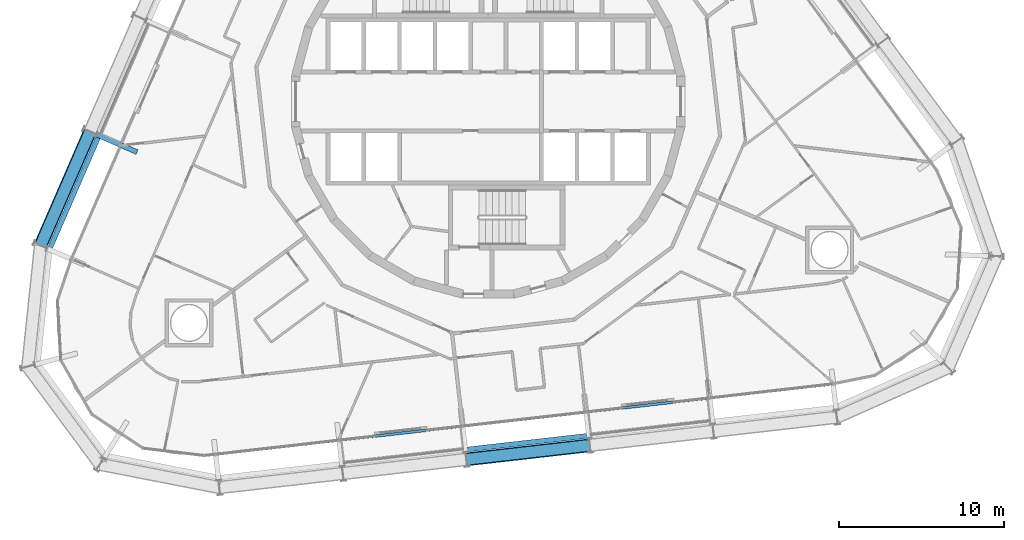
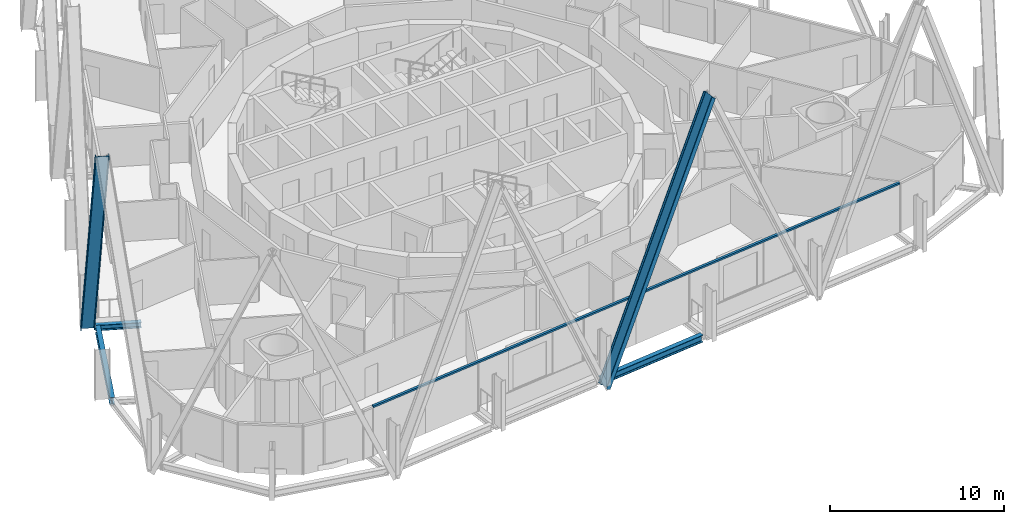
# One storey, part 4 of 23: 3 beams, 3 members, 1 element without a shape of its own.
"""IFC4 building model written with IfcOpenShell, lengths in metres."""

from ifc_helpers import new_model, si_unit, direction, frame, origin, origin_2d, place, context, subcontext, project, spatial, rectangle, i_section, extrude, material, layer, layer_set, material_profile, profile_set, type_object, element, aggregate, save


model = new_model("IFC4")

# Units and contexts
model_context = context("Model", 3, precision=1e-05, world=origin(), true_north=direction((0.0, 1.0)))
body_context = subcontext(model_context, "Body", "Model", "MODEL_VIEW")
ifc_project = project(units=[si_unit("LENGTHUNIT", "METRE"), si_unit("AREAUNIT", "SQUARE_METRE"), si_unit("VOLUMEUNIT", "CUBIC_METRE"), si_unit("PLANEANGLEUNIT", "RADIAN"), si_unit("MASSUNIT", "GRAM", prefix="KILO")], contexts=[model_context])

# Site, building, storey
site_placement = place(None, origin())
site = spatial("IfcSite", under=ifc_project, at=site_placement, CompositionType="ELEMENT")
building_placement = place(site_placement, origin())
building = spatial("IfcBuilding", under=site, at=building_placement, Name="Spindle Arch Residences", CompositionType="ELEMENT")
storey_placement = place(building_placement, frame((0.0, 0.0, 90.699951171875)))
storey = spatial("IfcBuildingStorey", under=building, at=storey_placement, Name="L21", CompositionType="ELEMENT", Elevation=90.699951171875)

# Curtain wall, member
ifc_material_1 = material(Name="Aluminium bronze unitised frame with tinted glass", Category="aluminium")
ifc_layer = layer(ifc_material_1, 0.159912109375)
ifc_layer_set = layer_set([ifc_layer], Name="CW-C typical residential unitised wall")
curtain_wall_type = type_object("IfcCurtainWallType", Name="CW-C typical residential unitised wall", PredefinedType="NOTDEFINED", material=ifc_layer_set)
curtain_wall_placement = place(storey_placement, origin())
curtain_wall = element("IfcCurtainWall", 1, at=curtain_wall_placement, inside=storey, type_object=curtain_wall_type, Name="CW-C L21 run 6", PredefinedType="NOTDEFINED")
ifc_material_2 = material(Name="Aluminium bronze anodised transom", Category="aluminium")
ifc_material_profile_1 = material_profile(ifc_material_2, rectangle(XDim=0.159912109375, YDim=0.1201171875, at=origin_2d()), Name="TR 120x160")
ifc_profile_set_1 = profile_set([ifc_material_profile_1], Name="Aluminium bronze anodised transom")
member_type_1 = type_object("IfcMemberType", Name="Bronze transom 120x160", PredefinedType="USERDEFINED", material=ifc_profile_set_1)
member_placement = place(storey_placement, frame((-16.457275390625, -21.337646484375, 3.06005859375), z_axis=(0.993571693336, 0.1132046386, 0.0), x_axis=(-0.1132046386, 0.993571693336, 0.0)))
member = element("IfcMember", 2, at=member_placement, type_object=member_type_1, Name="CW-C transom 00", ObjectType="TRANSOM", PredefinedType="USERDEFINED", context=body_context, shape_type="SweptSolid", body=[
    extrude(rectangle(XDim=0.159912109375, YDim=0.1201171875, at=origin_2d()), origin(), (0.0, 0.0, 1.0), 37.533935546875),
])
aggregate(curtain_wall, [member])

# Members
ifc_material_3 = material(Name="Steel S460ML, intumescent coating R 240", Category="steel")
ifc_material_profile_2 = material_profile(ifc_material_3, i_section(OverallWidth=0.302978515625, OverallDepth=0.81396484375, WebThickness=0.02099609375, FlangeThickness=0.0400390625, FilletRadius=0.030029296875, at=origin_2d()), Name="HEM 800")
ifc_profile_set_2 = profile_set([ifc_material_profile_2], Name="Steel S460ML, intumescent coating R 240")
member_type_2 = type_object("IfcMemberType", Name="Diagrid diagonal HEM 800", PredefinedType="BRACE", material=ifc_profile_set_2)
for number, where, z_axis, x_axis, name in (
    (3, (-24.083251953125, -1.826416015625, -0.6298828125), (-0.159144975732, -0.366020484495, 0.916897966859), (0.365602047338, 0.840854936723, 0.399121683663), "Diagrid diagonal 2.2.18"),
    (4, (-1.3173828125, -21.645751953125, -0.6298828125), (0.396553992054, 0.04517752921, 0.916899079638), (-0.911006177079, -0.103786644443, 0.399119127279), "Diagrid diagonal 2.2.24"),
):
    element("IfcMember", number, at=place(storey_placement, frame(where, z_axis=z_axis, x_axis=x_axis)), inside=storey, type_object=member_type_2, Name=name, PredefinedType="BRACE", context=body_context, shape_type="SweptSolid", body=[
        extrude(i_section(OverallWidth=0.302978515625, OverallDepth=0.81396484375, WebThickness=0.02099609375, FlangeThickness=0.0400390625, FilletRadius=0.030029296875, at=origin_2d()), origin(), (0.0, 0.0, 1.0), 18.83837890625),
    ])

# Beams
ifc_material_4 = material(Name="Steel S460ML, intumescent coating R 120", Category="steel")
ifc_material_profile_3 = material_profile(ifc_material_4, i_section(OverallWidth=0.300048828125, OverallDepth=0.5, WebThickness=0.014404296875, FlangeThickness=0.028076171875, FilletRadius=0.027099609375, at=origin_2d()), Name="HEB 500")
ifc_profile_set_3 = profile_set([ifc_material_profile_3], Name="Steel S460ML, intumescent coating R 120")
beam_type_1 = type_object("IfcBeamType", Name="Exoskeleton edge beam HEB 500", PredefinedType="BEAM", material=ifc_profile_set_3)
beam_1_placement = place(storey_placement, frame((-23.5966796875, -2.1796875, -0.6298828125), z_axis=(-0.398760546857, -0.917055083553, 0.0), x_axis=(0.917055083553, -0.398760546857, 0.0)))
element("IfcBeam", 5, at=beam_1_placement, inside=storey, type_object=beam_type_1, Name="Exoskeleton edge beam 18", PredefinedType="BEAM", context=body_context, shape_type="SweptSolid", body=[
    extrude(i_section(OverallWidth=0.300048828125, OverallDepth=0.5, WebThickness=0.014404296875, FlangeThickness=0.028076171875, FilletRadius=0.027099609375, at=origin_2d()), origin(), (0.0, 0.0, 1.0), 7.2587890625),
])
beam_2_placement = place(storey_placement, frame((-1.2548828125, -21.0478515625, -0.6298828125), z_axis=(0.993575205863, 0.113173805691, 0.0), x_axis=(-0.113173805691, 0.993575205863, 0.0)))
element("IfcBeam", 6, at=beam_2_placement, inside=storey, type_object=beam_type_1, Name="Exoskeleton edge beam 24", PredefinedType="BEAM", context=body_context, shape_type="SweptSolid", body=[
    extrude(i_section(OverallWidth=0.300048828125, OverallDepth=0.5, WebThickness=0.014404296875, FlangeThickness=0.028076171875, FilletRadius=0.027099609375, at=origin_2d()), origin(), (0.0, 0.0, 1.0), 7.259033203125),
])
ifc_material_5 = material(Name="Steel S460ML, intumescent coating R 120", Category="steel")
ifc_material_profile_4 = material_profile(ifc_material_5, i_section(OverallWidth=0.300048828125, OverallDepth=0.389892578125, WebThickness=0.010986328125, FlangeThickness=0.01904296875, FilletRadius=0.027099609375, at=origin_2d()), Name="HEA 400")
ifc_profile_set_4 = profile_set([ifc_material_profile_4], Name="Steel S460ML, intumescent coating R 120")
beam_type_2 = type_object("IfcBeamType", Name="Floor outrigger HEA 400", PredefinedType="BEAM", material=ifc_profile_set_4)
beam_3_placement = place(storey_placement, frame((-23.670654296875, -2.005859375, -0.574951171875), z_axis=(0.917064197317, -0.398739586698, 0.0), x_axis=(0.398739586698, 0.917064197317, 0.0)))
element("IfcBeam", 7, at=beam_3_placement, inside=storey, type_object=beam_type_2, Name="Floor outrigger 18", PredefinedType="BEAM", context=body_context, shape_type="SweptSolid", body=[
    extrude(i_section(OverallWidth=0.300048828125, OverallDepth=0.389892578125, WebThickness=0.010986328125, FlangeThickness=0.01904296875, FilletRadius=0.027099609375, at=origin_2d()), origin(), (0.0, 0.0, 1.0), 2.64990234375),
])

save(model, "model.ifc")
